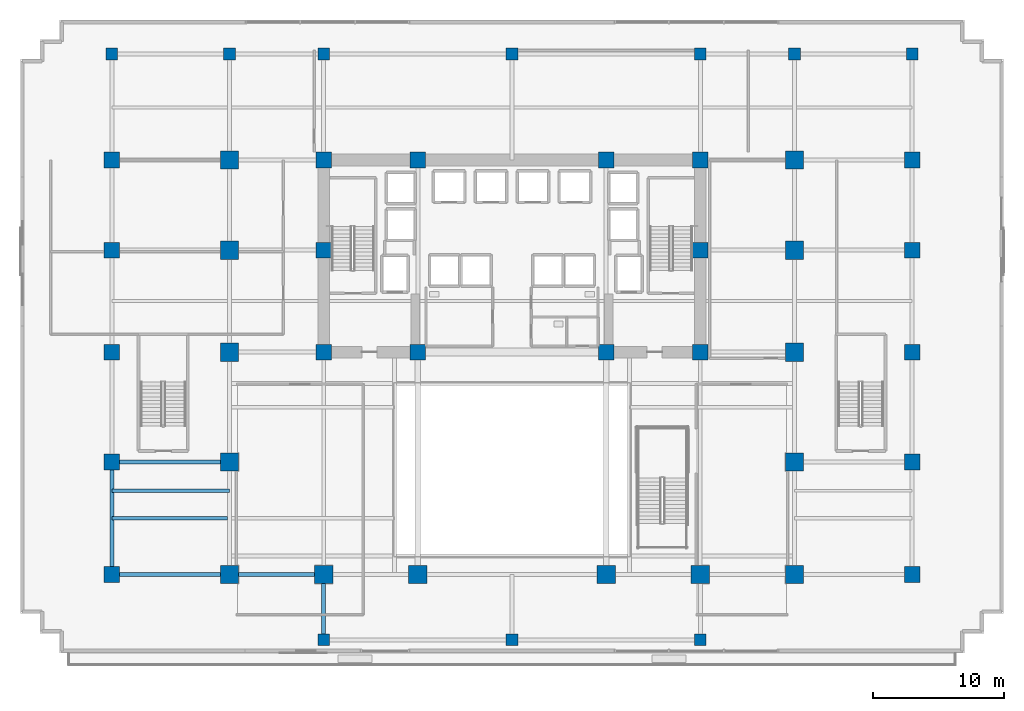
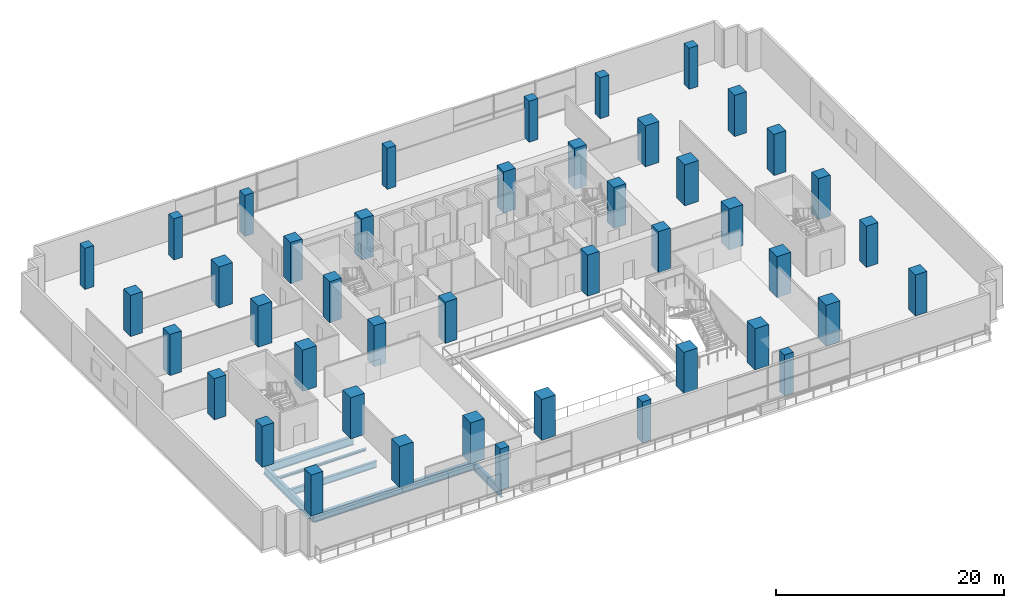
# One storey, part 1 of 22: 44 columns, 7 beams.
"""IFC4 building model written with IfcOpenShell, lengths in metres."""

from ifc_helpers import new_model, si_unit, direction, frame, origin, origin_2d, place, context, subcontext, project, spatial, rectangle, i_section, extrude, material, material_profile, profile_set, type_object, element, save


model = new_model("IFC4")

# Units and contexts
model_context = context("Model", 3, precision=1e-05, world=origin(), true_north=direction((0.0, 1.0)))
body_context = subcontext(model_context, "Body", "Model", "MODEL_VIEW")
ifc_project = project(units=[si_unit("LENGTHUNIT", "METRE"), si_unit("AREAUNIT", "SQUARE_METRE"), si_unit("VOLUMEUNIT", "CUBIC_METRE"), si_unit("PLANEANGLEUNIT", "RADIAN"), si_unit("MASSUNIT", "GRAM", prefix="KILO")], contexts=[model_context])

# Site, building, storey
site_placement = place(None, origin())
site = spatial("IfcSite", under=ifc_project, at=site_placement, CompositionType="ELEMENT")
building_placement = place(site_placement, origin())
building = spatial("IfcBuilding", under=site, at=building_placement, Name="Zarnakvel Exchange Tower", CompositionType="ELEMENT")
storey_placement = place(building_placement, frame((0.0, 0.0, 9.39990234375)))
storey = spatial("IfcBuildingStorey", under=building, at=storey_placement, Name="L02", CompositionType="ELEMENT", Elevation=9.39990234375)

# Columns
ifc_material_1 = material(Name="Concrete C80/95", Category="concrete")
ifc_material_profile_1 = material_profile(ifc_material_1, rectangle(XDim=1.199951171875, YDim=1.199951171875, at=origin_2d()))
ifc_profile_set_1 = profile_set([ifc_material_profile_1], Name="Concrete C80/95")
column_type_1 = type_object("IfcColumnType", Name="CC-01", PredefinedType="COLUMN", material=ifc_profile_set_1)
for number, where, z_axis, x_axis, name in (
    (1, (-14.39990234375, -1.199951171875, 0.0), (0.0, 0.0, 1.0), (1.0, 0.0, 0.0), "L02 Column C-4D (CC-01)"),
    (2, (-7.199951171875, -1.199951171875, 0.0), (0.0, 0.0, 1.0), (1.0, 0.0, 0.0), "L02 Column C-5D (CC-01)"),
    (3, (7.199951171875, -1.199951171875, 0.0), (0.0, 0.0, 1.0), (1.0, 0.0, 0.0), "L02 Column C-8D (CC-01)"),
    (4, (14.39990234375, -1.199951171875, 0.0), (0.0, 0.0, 1.0), (1.0, 0.0, 0.0), "L02 Column C-9D (CC-01)"),
    (5, (-14.39990234375, 6.60009765625, 0.0), (0.0, 0.0, 1.0), (1.0, 0.0, 0.0), "L02 Column C-4E (CC-01)"),
    (6, (14.39990234375, 6.60009765625, 0.0), (0.0, 0.0, 1.0), (1.0, 0.0, 0.0), "L02 Column C-9E (CC-01)"),
    (7, (-14.39990234375, 13.5, 0.0), (0.0, 0.0, 1.0), (1.0, 0.0, 0.0), "L02 Column C-4F (CC-01)"),
    (8, (-7.199951171875, 13.5, 0.0), (0.0, 0.0, 1.0), (1.0, 0.0, 0.0), "L02 Column C-5F (CC-01)"),
    (9, (7.199951171875, 13.5, 0.0), (0.0, 0.0, 1.0), (1.0, 0.0, 0.0), "L02 Column C-8F (CC-01)"),
    (10, (14.39990234375, 13.5, 0.0), (0.0, 0.0, 1.0), (1.0, 0.0, 0.0), "L02 Column C-9F (CC-01)"),
):
    element("IfcColumn", number, at=place(storey_placement, frame(where, z_axis=z_axis, x_axis=x_axis)), inside=storey, type_object=column_type_1, Name=name, PredefinedType="COLUMN", context=body_context, shape_type="SweptSolid", body=[
        extrude(rectangle(XDim=1.199951171875, YDim=1.199951171875, at=origin_2d()), origin(), (0.0, 0.0, 1.0), 4.400146484375),
    ])
ifc_material_profile_2 = material_profile(ifc_material_1, rectangle(XDim=1.39990234375, YDim=1.39990234375, at=origin_2d()))
ifc_profile_set_2 = profile_set([ifc_material_profile_2], Name="Concrete C80/95")
column_type_2 = type_object("IfcColumnType", Name="MC-02", PredefinedType="COLUMN", material=ifc_profile_set_2)
for number, where, z_axis, x_axis, name in (
    (11, (-21.60009765625, -18.199951171875, 0.0), (0.0, 0.0, 1.0), (1.0, 0.0, 0.0), "L02 Column M-3B (MC-02)"),
    (12, (-14.39990234375, -18.199951171875, 0.0), (0.0, 0.0, 1.0), (1.0, 0.0, 0.0), "L02 Column M-4B (MC-02)"),
    (13, (-7.199951171875, -18.199951171875, 0.0), (0.0, 0.0, 1.0), (1.0, 0.0, 0.0), "L02 Column M-5B (MC-02)"),
    (14, (7.199951171875, -18.199951171875, 0.0), (0.0, 0.0, 1.0), (1.0, 0.0, 0.0), "L02 Column M-8B (MC-02)"),
    (15, (14.39990234375, -18.199951171875, 0.0), (0.0, 0.0, 1.0), (1.0, 0.0, 0.0), "L02 Column M-9B (MC-02)"),
    (16, (21.60009765625, -18.199951171875, 0.0), (0.0, 0.0, 1.0), (1.0, 0.0, 0.0), "L02 Column M-10B (MC-02)"),
    (17, (-21.60009765625, -9.60009765625, 0.0), (0.0, 0.0, 1.0), (1.0, 0.0, 0.0), "L02 Column M-3C (MC-02)"),
    (18, (21.60009765625, -9.60009765625, 0.0), (0.0, 0.0, 1.0), (1.0, 0.0, 0.0), "L02 Column M-10C (MC-02)"),
    (19, (-21.60009765625, -1.199951171875, 0.0), (0.0, 0.0, 1.0), (1.0, 0.0, 0.0), "L02 Column M-3D (MC-02)"),
    (20, (21.60009765625, -1.199951171875, 0.0), (0.0, 0.0, 1.0), (1.0, 0.0, 0.0), "L02 Column M-10D (MC-02)"),
    (21, (-21.60009765625, 6.60009765625, 0.0), (0.0, 0.0, 1.0), (1.0, 0.0, 0.0), "L02 Column M-3E (MC-02)"),
    (22, (21.60009765625, 6.60009765625, 0.0), (0.0, 0.0, 1.0), (1.0, 0.0, 0.0), "L02 Column M-10E (MC-02)"),
    (23, (-21.60009765625, 13.5, 0.0), (0.0, 0.0, 1.0), (1.0, 0.0, 0.0), "L02 Column M-3F (MC-02)"),
    (24, (21.60009765625, 13.5, 0.0), (0.0, 0.0, 1.0), (1.0, 0.0, 0.0), "L02 Column M-10F (MC-02)"),
):
    element("IfcColumn", number, at=place(storey_placement, frame(where, z_axis=z_axis, x_axis=x_axis)), inside=storey, type_object=column_type_2, Name=name, PredefinedType="COLUMN", context=body_context, shape_type="SweptSolid", body=[
        extrude(rectangle(XDim=1.39990234375, YDim=1.39990234375, at=origin_2d()), origin(), (0.0, 0.0, 1.0), 4.400146484375),
    ])
ifc_material_profile_3 = material_profile(ifc_material_1, rectangle(XDim=1.199951171875, YDim=1.199951171875, at=origin_2d()))
ifc_profile_set_3 = profile_set([ifc_material_profile_3], Name="Concrete C80/95")
column_type_3 = type_object("IfcColumnType", Name="MC-03", PredefinedType="COLUMN", material=ifc_profile_set_3)
for number, where, z_axis, x_axis, name in (
    (25, (-30.60009765625, -18.199951171875, 0.0), (0.0, 0.0, 1.0), (1.0, 0.0, 0.0), "L02 Column W-2B (MC-03)"),
    (26, (-30.60009765625, -9.60009765625, 0.0), (0.0, 0.0, 1.0), (1.0, 0.0, 0.0), "L02 Column W-2C (MC-03)"),
    (27, (-30.60009765625, -1.199951171875, 0.0), (0.0, 0.0, 1.0), (1.0, 0.0, 0.0), "L02 Column W-2D (MC-03)"),
    (28, (-30.60009765625, 6.60009765625, 0.0), (0.0, 0.0, 1.0), (1.0, 0.0, 0.0), "L02 Column W-2E (MC-03)"),
    (29, (-30.60009765625, 13.5, 0.0), (0.0, 0.0, 1.0), (1.0, 0.0, 0.0), "L02 Column W-2F (MC-03)"),
    (30, (30.60009765625, -18.199951171875, 0.0), (0.0, 0.0, 1.0), (1.0, 0.0, 0.0), "L02 Column W-11B (MC-03)"),
    (31, (30.60009765625, -9.60009765625, 0.0), (0.0, 0.0, 1.0), (1.0, 0.0, 0.0), "L02 Column W-11C (MC-03)"),
    (32, (30.60009765625, -1.199951171875, 0.0), (0.0, 0.0, 1.0), (1.0, 0.0, 0.0), "L02 Column W-11D (MC-03)"),
    (33, (30.60009765625, 6.60009765625, 0.0), (0.0, 0.0, 1.0), (1.0, 0.0, 0.0), "L02 Column W-11E (MC-03)"),
    (34, (30.60009765625, 13.5, 0.0), (0.0, 0.0, 1.0), (1.0, 0.0, 0.0), "L02 Column W-11F (MC-03)"),
):
    element("IfcColumn", number, at=place(storey_placement, frame(where, z_axis=z_axis, x_axis=x_axis)), inside=storey, type_object=column_type_3, Name=name, PredefinedType="COLUMN", context=body_context, shape_type="SweptSolid", body=[
        extrude(rectangle(XDim=1.199951171875, YDim=1.199951171875, at=origin_2d()), origin(), (0.0, 0.0, 1.0), 4.400146484375),
    ])
ifc_material_2 = material(Name="Concrete C50/60", Category="concrete")
ifc_material_profile_4 = material_profile(ifc_material_2, rectangle(XDim=0.89990234375, YDim=0.89990234375, at=origin_2d()))
ifc_profile_set_4 = profile_set([ifc_material_profile_4], Name="Concrete C50/60")
column_type_4 = type_object("IfcColumnType", Name="MC-04", PredefinedType="COLUMN", material=ifc_profile_set_4)
for number, where, z_axis, x_axis, name in (
    (35, (-30.60009765625, 21.60009765625, 0.0), (0.0, 0.0, 1.0), (1.0, 0.0, 0.0), "L02 Column P-2G (MC-04)"),
    (36, (30.60009765625, 21.60009765625, 0.0), (0.0, 0.0, 1.0), (1.0, 0.0, 0.0), "L02 Column P-11G (MC-04)"),
    (37, (-21.60009765625, 21.60009765625, 0.0), (0.0, 0.0, 1.0), (1.0, 0.0, 0.0), "L02 Column P-3G (MC-04)"),
    (38, (21.60009765625, 21.60009765625, 0.0), (0.0, 0.0, 1.0), (1.0, 0.0, 0.0), "L02 Column P-10G (MC-04)"),
    (39, (-14.39990234375, -23.199951171875, 0.0), (0.0, 0.0, 1.0), (1.0, 0.0, 0.0), "L02 Column P-4A (MC-04)"),
    (40, (0.0, -23.199951171875, 0.0), (0.0, 0.0, 1.0), (1.0, 0.0, 0.0), "L02 Column P-65A (MC-04)"),
    (41, (14.39990234375, -23.199951171875, 0.0), (0.0, 0.0, 1.0), (1.0, 0.0, 0.0), "L02 Column P-9A (MC-04)"),
    (42, (-14.39990234375, 21.60009765625, 0.0), (0.0, 0.0, 1.0), (1.0, 0.0, 0.0), "L02 Column P-4G (MC-04)"),
    (43, (0.0, 21.60009765625, 0.0), (0.0, 0.0, 1.0), (1.0, 0.0, 0.0), "L02 Column P-65G (MC-04)"),
    (44, (14.39990234375, 21.60009765625, 0.0), (0.0, 0.0, 1.0), (1.0, 0.0, 0.0), "L02 Column P-9G (MC-04)"),
):
    element("IfcColumn", number, at=place(storey_placement, frame(where, z_axis=z_axis, x_axis=x_axis)), inside=storey, type_object=column_type_4, Name=name, PredefinedType="COLUMN", context=body_context, shape_type="SweptSolid", body=[
        extrude(rectangle(XDim=0.89990234375, YDim=0.89990234375, at=origin_2d()), origin(), (0.0, 0.0, 1.0), 4.400146484375),
    ])

# Beams
ifc_material_3 = material(Name="Steel S355", Category="steel")
ifc_material_profile_5 = material_profile(ifc_material_3, i_section(OverallWidth=0.255859375, OverallDepth=0.69287109375, WebThickness=0.014404296875, FlangeThickness=0.023681640625, FilletRadius=0.01513671875, at=origin_2d()))
ifc_profile_set_5 = profile_set([ifc_material_profile_5], Name="Steel S355")
beam_type_1 = type_object("IfcBeamType", Name="B-01", PredefinedType="JOIST", material=ifc_profile_set_5)
beam_1_placement = place(storey_placement, frame((-30.60009765625, -13.89990234375, -0.646240234375), z_axis=(1.0, 0.0, 0.0), x_axis=(0.0, 1.0, 0.0)))
element("IfcBeam", 45, at=beam_1_placement, inside=storey, type_object=beam_type_1, Name="L02 Podium Wing Secondary Joist West", PredefinedType="JOIST", context=body_context, shape_type="SweptSolid", body=[
    extrude(i_section(OverallWidth=0.255859375, OverallDepth=0.69287109375, WebThickness=0.014404296875, FlangeThickness=0.023681640625, FilletRadius=0.01513671875, at=origin_2d()), origin(), (0.0, 0.0, 1.0), 8.85009765625),
])
ifc_material_profile_6 = material_profile(ifc_material_3, i_section(OverallWidth=0.300048828125, OverallDepth=0.89990234375, WebThickness=0.0185546875, FlangeThickness=0.034912109375, FilletRadius=0.030029296875, at=origin_2d()))
ifc_profile_set_6 = profile_set([ifc_material_profile_6], Name="Steel S355")
beam_type_2 = type_object("IfcBeamType", Name="G-01", PredefinedType="BEAM", material=ifc_profile_set_6)
beam_2_placement = place(storey_placement, frame((-30.60009765625, -18.199951171875, -0.75), z_axis=(1.0, 0.0, 0.0), x_axis=(0.0, 1.0, 0.0)))
element("IfcBeam", 46, at=beam_2_placement, inside=storey, type_object=beam_type_2, Name="L02 Primary E-W Girder Y=-18.2", PredefinedType="BEAM", context=body_context, shape_type="SweptSolid", body=[
    extrude(i_section(OverallWidth=0.300048828125, OverallDepth=0.89990234375, WebThickness=0.0185546875, FlangeThickness=0.034912109375, FilletRadius=0.030029296875, at=origin_2d()), origin(), (0.0, 0.0, 1.0), 9.0),
])
beam_3_placement = place(storey_placement, frame((-21.60009765625, -18.199951171875, -0.75), z_axis=(1.0, 0.0, 0.0), x_axis=(0.0, 1.0, 0.0)))
element("IfcBeam", 47, at=beam_3_placement, inside=storey, type_object=beam_type_2, Name="L02 Primary E-W Girder Y=-18.2", PredefinedType="BEAM", context=body_context, shape_type="SweptSolid", body=[
    extrude(i_section(OverallWidth=0.300048828125, OverallDepth=0.89990234375, WebThickness=0.0185546875, FlangeThickness=0.034912109375, FilletRadius=0.030029296875, at=origin_2d()), origin(), (0.0, 0.0, 1.0), 7.2001953125),
])
beam_4_placement = place(storey_placement, frame((-30.60009765625, -9.60009765625, -0.75), z_axis=(1.0, 0.0, 0.0), x_axis=(0.0, 1.0, 0.0)))
element("IfcBeam", 48, at=beam_4_placement, inside=storey, type_object=beam_type_2, Name="L02 Primary E-W Girder Y=-9.6", PredefinedType="BEAM", context=body_context, shape_type="SweptSolid", body=[
    extrude(i_section(OverallWidth=0.300048828125, OverallDepth=0.89990234375, WebThickness=0.0185546875, FlangeThickness=0.034912109375, FilletRadius=0.030029296875, at=origin_2d()), origin(), (0.0, 0.0, 1.0), 9.0),
])
beam_5_placement = place(storey_placement, frame((-30.60009765625, -18.199951171875, -0.75), z_axis=(0.0, 1.0, 0.0), x_axis=(-1.0, 0.0, 0.0)))
element("IfcBeam", 49, at=beam_5_placement, inside=storey, type_object=beam_type_2, Name="L02 Primary N-S Girder X=-30.6", PredefinedType="BEAM", context=body_context, shape_type="SweptSolid", body=[
    extrude(i_section(OverallWidth=0.300048828125, OverallDepth=0.89990234375, WebThickness=0.0185546875, FlangeThickness=0.034912109375, FilletRadius=0.030029296875, at=origin_2d()), origin(), (0.0, 0.0, 1.0), 8.599853515625),
])
beam_6_placement = place(storey_placement, frame((-14.39990234375, -23.199951171875, -0.75), z_axis=(0.0, 1.0, 0.0), x_axis=(-1.0, 0.0, 0.0)))
element("IfcBeam", 50, at=beam_6_placement, inside=storey, type_object=beam_type_2, Name="L02 Primary N-S Girder X=-14.4", PredefinedType="BEAM", context=body_context, shape_type="SweptSolid", body=[
    extrude(i_section(OverallWidth=0.300048828125, OverallDepth=0.89990234375, WebThickness=0.0185546875, FlangeThickness=0.034912109375, FilletRadius=0.030029296875, at=origin_2d()), origin(), (0.0, 0.0, 1.0), 5.0),
])
ifc_material_profile_7 = material_profile(ifc_material_3, i_section(OverallWidth=0.239990234375, OverallDepth=0.239990234375, WebThickness=0.010009765625, FlangeThickness=0.01708984375, FilletRadius=0.02099609375, at=origin_2d()))
ifc_profile_set_7 = profile_set([ifc_material_profile_7], Name="Steel S355")
beam_type_3 = type_object("IfcBeamType", Name="LN-01", PredefinedType="LINTEL", material=ifc_profile_set_7)
beam_7_placement = place(storey_placement, frame((-30.60009765625, -11.800048828125, -0.419921875), z_axis=(1.0, 0.0, 0.0), x_axis=(0.0, 1.0, 0.0)))
element("IfcBeam", 51, at=beam_7_placement, inside=storey, type_object=beam_type_3, Name="L02 Concourse Gallery Opening Lintel West", PredefinedType="LINTEL", context=body_context, shape_type="SweptSolid", body=[
    extrude(i_section(OverallWidth=0.239990234375, OverallDepth=0.239990234375, WebThickness=0.010009765625, FlangeThickness=0.01708984375, FilletRadius=0.02099609375, at=origin_2d()), origin(), (0.0, 0.0, 1.0), 9.0),
])

save(model, "model.ifc")
